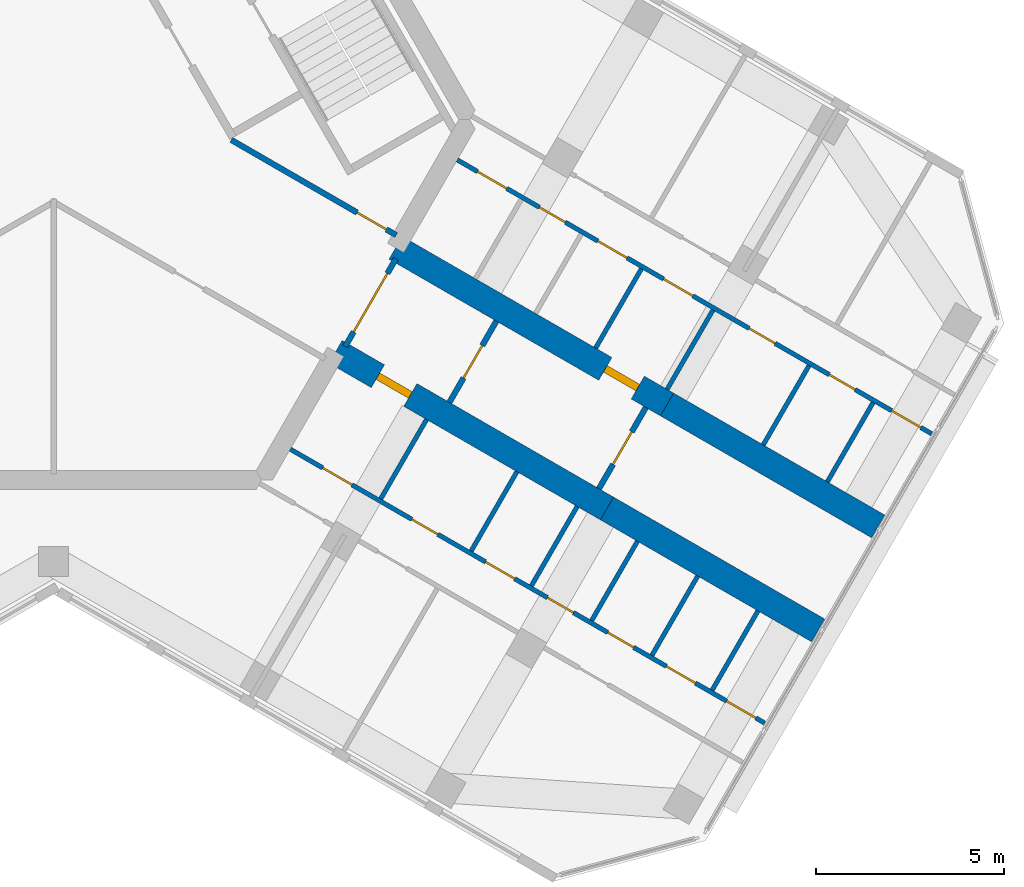
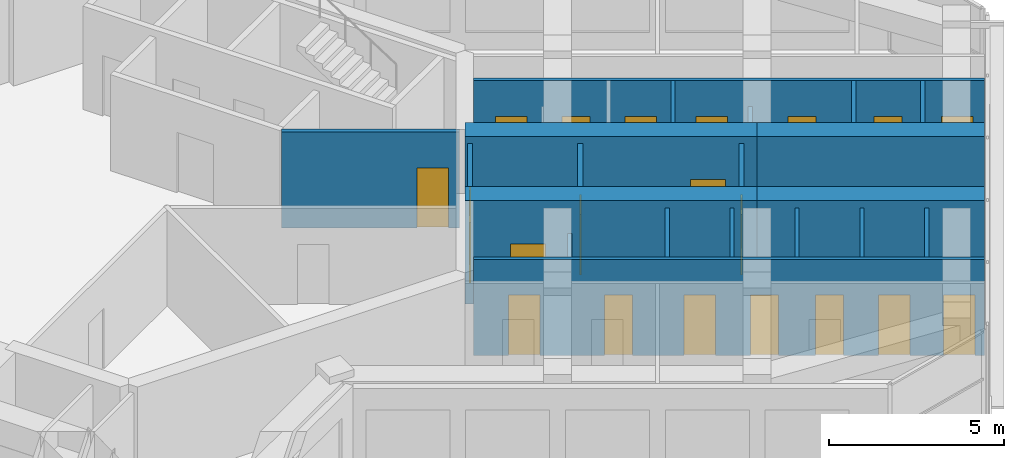
# One storey, part 10 of 14: 20 doors, 20 walls, 20 openings.
"""IFC4 building model written with IfcOpenShell, lengths in metres."""

from ifc_helpers import new_model, si_unit, direction, frame, frame_2d, origin, place, context, subcontext, project, spatial, rectangle, extrude, material, layer, layer_set, type_object, element, fill, save


model = new_model("IFC4")

# Units and contexts
model_context = context("Model", 3, precision=1e-05, world=origin(), true_north=direction((0.0, 1.0)))
body_context = subcontext(model_context, "Body", "Model", "MODEL_VIEW")
ifc_project = project(units=[si_unit("LENGTHUNIT", "METRE"), si_unit("AREAUNIT", "SQUARE_METRE"), si_unit("VOLUMEUNIT", "CUBIC_METRE"), si_unit("PLANEANGLEUNIT", "RADIAN"), si_unit("MASSUNIT", "GRAM", prefix="KILO")], contexts=[model_context])

# Site, building, storey
site_placement = place(None, origin())
site = spatial("IfcSite", under=ifc_project, at=site_placement, CompositionType="ELEMENT")
building_placement = place(site_placement, origin())
building = spatial("IfcBuilding", under=site, at=building_placement, Name="Kosmar Iwan School Tower", CompositionType="ELEMENT")
storey_placement = place(building_placement, frame((0.0, 0.0, 285.39990234375)))
storey = spatial("IfcBuildingStorey", under=building, at=storey_placement, Name="L72", CompositionType="ELEMENT", Elevation=285.39990234375)

# Wall, opening, door
ifc_material_1 = material(Name="Gypsum board on steel studs, fire-rated", Category="steel")
ifc_layer_1 = layer(ifc_material_1, 0.14990234375)
ifc_layer_set_1 = layer_set([ifc_layer_1], Name="Core room partition 150")
wall_type_1 = type_object("IfcWallType", Name="Core room partition 150", PredefinedType="PARTITIONING", material=ifc_layer_set_1)
wall_1_placement = place(storey_placement, frame((9.129638671875, -3.0771484375, 0.0), z_axis=(0.0, 0.0, 1.0), x_axis=(-0.866010921276, 0.500025083601, 0.0)))
wall_1 = element("IfcWall", 1, at=wall_1_placement, inside=storey, type_object=wall_type_1, Name="Core room partition L72-CW8", PredefinedType="PARTITIONING", context=body_context, shape_type="SweptSolid", body=[
    extrude(rectangle(XDim=5.074462890625, YDim=0.14990234375, at=frame_2d((2.537109375, 0.0))), origin(), (0.0, 0.0, 1.0), 3.35009765625),
])
opening_1_placement = place(wall_1_placement, frame((0.304931640625, 0.0, 0.0)))
opening_1 = element("IfcOpeningElement", 2, at=opening_1_placement, cuts=wall_1, Name="Opening D14", PredefinedType="OPENING", context=body_context, shape_type="SweptSolid", body=[
    extrude(rectangle(XDim=0.89990234375, YDim=2.10009765625, at=frame_2d((0.449951171875, 1.050048828125))), frame((0.0, 0.0869140625, 0.0), z_axis=(0.0, -1.0, 0.0), x_axis=(1.0, 0.0, 0.0)), (0.0, 0.0, 1.0), 0.173828125),
])
ifc_material_2 = material(Name="Timber fire door in steel frame", Category="steel")
door_type_1 = type_object("IfcDoorType", Name="Core room door 900x2100", OperationType="SINGLE_SWING_LEFT", PredefinedType="DOOR", material=ifc_material_2)
door_1_placement = place(opening_1_placement, origin())
door_1 = element("IfcDoor", 3, at=door_1_placement, inside=storey, type_object=door_type_1, Name="Cleaner's store door L72 5", OperationType="SINGLE_SWING_LEFT", OverallHeight=2.10009765625, OverallWidth=0.89990234375, PredefinedType="DOOR", context=body_context, shape_type="SweptSolid", body=[
    extrude(rectangle(XDim=0.89990234375, YDim=2.10009765625, at=frame_2d((0.449951171875, 1.050048828125))), frame((0.0, 0.02490234375, 0.0), z_axis=(0.0, -1.0, 0.0), x_axis=(1.0, 0.0, 0.0)), (0.0, 0.0, 1.0), 0.050048828125),
])
fill(opening_1, door_1)

ifc_material_3 = material(Name="Concrete C50/60", Category="concrete")
ifc_layer_2 = layer(ifc_material_3, 0.699951171875)
ifc_layer_set_2 = layer_set([ifc_layer_2], Name="Corridor buttress wall 700")
wall_type_2 = type_object("IfcWallType", Name="Corridor buttress wall 700", PredefinedType="SHEAR", material=ifc_layer_set_2)
wall_2_placement = place(storey_placement, frame((9.11376953125, -3.414306640625, 0.0), z_axis=(0.0, 0.0, 1.0), x_axis=(0.866026859388, -0.499997478812, 0.0)))
wall_2 = element("IfcWall", 4, at=wall_2_placement, inside=storey, type_object=wall_type_2, Name="Corridor wall CL", PredefinedType="SHEAR", context=body_context, shape_type="SweptSolid", body=[
    extrude(rectangle(XDim=8.35009765625, YDim=0.699951171875, at=frame_2d((4.175048828125, 0.0))), origin(), (0.0, 0.0, 1.0), 3.60009765625),
])
opening_2_placement = place(wall_2_placement, frame((6.449951171875, 0.0, 0.0)))
opening_2 = element("IfcOpeningElement", 5, at=opening_2_placement, cuts=wall_2, Name="Opening D1", PredefinedType="OPENING", context=body_context, shape_type="SweptSolid", body=[
    extrude(rectangle(XDim=1.0, YDim=2.10009765625, at=frame_2d((0.5, 1.050048828125))), frame((0.0, 0.362060546875, 0.0), z_axis=(0.0, -1.0, 0.0), x_axis=(1.0, 0.0, 0.0)), (0.0, 0.0, 1.0), 0.723876953125),
])
ifc_material_4 = material(Name="Timber fire door in steel frame", Category="steel")
door_type_2 = type_object("IfcDoorType", Name="Flat entrance door 1000x2100", OperationType="SINGLE_SWING_LEFT", PredefinedType="DOOR", material=ifc_material_4)
door_2_placement = place(opening_2_placement, origin())
door_2 = element("IfcDoor", 6, at=door_2_placement, inside=storey, type_object=door_type_2, Name="Flat L72-CL1 entrance door", OperationType="SINGLE_SWING_LEFT", OverallHeight=2.10009765625, OverallWidth=1.0, PredefinedType="DOOR", context=body_context, shape_type="SweptSolid", body=[
    extrude(rectangle(XDim=1.0, YDim=2.10009765625, at=frame_2d((0.5, 1.050048828125))), frame((0.0, 0.10009765625, 0.0), z_axis=(0.0, -1.0, 0.0), x_axis=(1.0, 0.0, 0.0)), (0.0, 0.0, 1.0), 0.199951171875),
])
fill(opening_2, door_2)

# Wall
wall_3_placement = place(storey_placement, frame((16.34521484375, -7.58935546875, 0.0), z_axis=(0.0, 0.0, 1.0), x_axis=(0.866018451174, -0.500012042081, 0.0)))
element("IfcWall", 7, at=wall_3_placement, inside=storey, type_object=wall_type_2, Name="Corridor wall CL bay 2", PredefinedType="SHEAR", context=body_context, shape_type="SweptSolid", body=[
    extrude(rectangle(XDim=6.494873046875, YDim=0.699951171875, at=frame_2d((3.24755859375, 0.0))), origin(), (0.0, 0.0, 1.0), 3.60009765625),
])

# Wall, opening, door
wall_4_placement = place(storey_placement, frame((7.513916015625, -6.185546875, 0.0), z_axis=(0.0, 0.0, 1.0), x_axis=(0.866019549707, -0.500010139422, 0.0)))
wall_4 = element("IfcWall", 8, at=wall_4_placement, inside=storey, type_object=wall_type_2, Name="Corridor wall CR", PredefinedType="SHEAR", context=body_context, shape_type="SweptSolid", body=[
    extrude(rectangle(XDim=8.349853515625, YDim=0.699951171875, at=frame_2d((4.1748046875, 0.0))), origin(), (0.0, 0.0, 1.0), 3.60009765625),
])
opening_3_placement = place(wall_4_placement, frame((1.300048828125, 0.0, 0.0)))
opening_3 = element("IfcOpeningElement", 9, at=opening_3_placement, cuts=wall_4, Name="Opening D1", PredefinedType="OPENING", context=body_context, shape_type="SweptSolid", body=[
    extrude(rectangle(XDim=1.0, YDim=2.10009765625, at=frame_2d((0.5, 1.050048828125))), frame((0.0, 0.362060546875, 0.0), z_axis=(0.0, -1.0, 0.0), x_axis=(1.0, 0.0, 0.0)), (0.0, 0.0, 1.0), 0.723876953125),
])
door_3_placement = place(opening_3_placement, origin())
door_3 = element("IfcDoor", 10, at=door_3_placement, inside=storey, type_object=door_type_2, Name="Flat L72-CR1 entrance door", OperationType="SINGLE_SWING_RIGHT", OverallHeight=2.10009765625, OverallWidth=1.0, PredefinedType="DOOR", context=body_context, shape_type="SweptSolid", body=[
    extrude(rectangle(XDim=1.0, YDim=2.10009765625, at=frame_2d((0.5, 1.050048828125))), frame((0.0, 0.10009765625, 0.0), z_axis=(0.0, -1.0, 0.0), x_axis=(1.0, 0.0, 0.0)), (0.0, 0.0, 1.0), 0.199951171875),
])
fill(opening_3, door_3)

# Wall
wall_5_placement = place(storey_placement, frame((14.7451171875, -10.360595703125, 0.0), z_axis=(0.0, 0.0, 1.0), x_axis=(0.866027848477, -0.499995765644, 0.0)))
element("IfcWall", 11, at=wall_5_placement, inside=storey, type_object=wall_type_2, Name="Corridor wall CR bay 2", PredefinedType="SHEAR", context=body_context, shape_type="SweptSolid", body=[
    extrude(rectangle(XDim=6.4951171875, YDim=0.699951171875, at=frame_2d((3.24755859375, 0.0))), origin(), (0.0, 0.0, 1.0), 3.60009765625),
])

# Wall, opening, door
ifc_material_5 = material(Name="Gypsum board on steel studs, fire-rated", Category="steel")
ifc_layer_3 = layer(ifc_material_5, 0.14990234375)
ifc_layer_set_3 = layer_set([ifc_layer_3], Name="Corridor end wall 150")
wall_type_3 = type_object("IfcWallType", Name="Corridor end wall 150", PredefinedType="PARTITIONING", material=ifc_layer_set_3)
wall_6_placement = place(storey_placement, frame((14.530517578125, -9.83251953125, 0.0), z_axis=(0.0, 0.0, 1.0), x_axis=(0.500004234368, 0.866022959057, 0.0)))
wall_6 = element("IfcWall", 12, at=wall_6_placement, inside=storey, type_object=wall_type_3, Name="Partition L72-C-CE", PredefinedType="PARTITIONING", context=body_context, shape_type="SweptSolid", body=[
    extrude(rectangle(XDim=2.5, YDim=0.14990234375, at=frame_2d((1.25, 0.0))), origin(), (0.0, 0.0, 1.0), 3.35009765625),
])
opening_4_placement = place(wall_6_placement, frame((0.75, 0.0, 0.0)))
opening_4 = element("IfcOpeningElement", 13, at=opening_4_placement, cuts=wall_6, Name="Opening D13", PredefinedType="OPENING", context=body_context, shape_type="SweptSolid", body=[
    extrude(rectangle(XDim=1.0, YDim=2.10009765625, at=frame_2d((0.5, 1.050048828125))), frame((0.0, 0.0869140625, 0.0), z_axis=(0.0, -1.0, 0.0), x_axis=(1.0, 0.0, 0.0)), (0.0, 0.0, 1.0), 0.173828125),
])
ifc_material_6 = material(Name="Timber fire door with vision panel", Category="wood")
door_type_3 = type_object("IfcDoorType", Name="Corridor end door 1000x2100", OperationType="SINGLE_SWING_LEFT", PredefinedType="DOOR", material=ifc_material_6)
door_4_placement = place(opening_4_placement, origin())
door_4 = element("IfcDoor", 14, at=door_4_placement, inside=storey, type_object=door_type_3, Name="Reading room door L72-C", OperationType="SINGLE_SWING_LEFT", OverallHeight=2.10009765625, OverallWidth=1.0, PredefinedType="DOOR", context=body_context, shape_type="SweptSolid", body=[
    extrude(rectangle(XDim=1.0, YDim=2.10009765625, at=frame_2d((0.5, 1.050048828125))), frame((0.0, 0.02490234375, 0.0), z_axis=(0.0, -1.0, 0.0), x_axis=(1.0, 0.0, 0.0)), (0.0, 0.0, 1.0), 0.050048828125),
])
fill(opening_4, door_4)

wall_7_placement = place(storey_placement, frame((10.546630859375, -7.532470703125, 0.0), z_axis=(0.0, 0.0, 1.0), x_axis=(0.500004234368, 0.866022959057, 0.0)))
wall_7 = element("IfcWall", 15, at=wall_7_placement, inside=storey, type_object=wall_type_3, Name="Partition L72-C-HW", PredefinedType="PARTITIONING", context=body_context, shape_type="SweptSolid", body=[
    extrude(rectangle(XDim=2.5, YDim=0.14990234375, at=frame_2d((1.25, 0.0))), origin(), (0.0, 0.0, 1.0), 3.35009765625),
])
opening_5_placement = place(wall_7_placement, frame((0.75, 0.0, 0.0)))
opening_5 = element("IfcOpeningElement", 16, at=opening_5_placement, cuts=wall_7, Name="Opening D13", PredefinedType="OPENING", context=body_context, shape_type="SweptSolid", body=[
    extrude(rectangle(XDim=1.0, YDim=2.10009765625, at=frame_2d((0.5, 1.050048828125))), frame((0.0, 0.0869140625, 0.0), z_axis=(0.0, -1.0, 0.0), x_axis=(1.0, 0.0, 0.0)), (0.0, 0.0, 1.0), 0.173828125),
])
door_5_placement = place(opening_5_placement, origin())
door_5 = element("IfcDoor", 17, at=door_5_placement, inside=storey, type_object=door_type_3, Name="Entrance door L72-C", OperationType="SINGLE_SWING_RIGHT", OverallHeight=2.10009765625, OverallWidth=1.0, PredefinedType="DOOR", context=body_context, shape_type="SweptSolid", body=[
    extrude(rectangle(XDim=1.0, YDim=2.10009765625, at=frame_2d((0.5, 1.050048828125))), frame((0.0, 0.02490234375, 0.0), z_axis=(0.0, -1.0, 0.0), x_axis=(1.0, 0.0, 0.0)), (0.0, 0.0, 1.0), 0.050048828125),
])
fill(opening_5, door_5)

ifc_material_7 = material(Name="Steel framed glazed screen", Category="steel")
ifc_layer_4 = layer(ifc_material_7, 0.14990234375)
ifc_layer_set_4 = layer_set([ifc_layer_4], Name="Corridor screen wall 150")
wall_type_4 = type_object("IfcWallType", Name="Corridor screen wall 150", PredefinedType="PARTITIONING", material=ifc_layer_set_4)
wall_8_placement = place(storey_placement, frame((7.768798828125, -6.044189453125, 0.0), z_axis=(0.0, 0.0, 1.0), x_axis=(0.4999416173, 0.866059108428, 0.0)))
wall_8 = element("IfcWall", 18, at=wall_8_placement, inside=storey, type_object=wall_type_4, Name="Corridor screen C L72", PredefinedType="PARTITIONING", context=body_context, shape_type="SweptSolid", body=[
    extrude(rectangle(XDim=2.699951171875, YDim=0.14990234375, at=frame_2d((1.35009765625, 0.0))), origin(), (0.0, 0.0, 1.0), 3.35009765625),
])
opening_6_placement = place(wall_8_placement, frame((0.449951171875, 0.0, 0.0)))
opening_6 = element("IfcOpeningElement", 19, at=opening_6_placement, cuts=wall_8, Name="Opening D9", PredefinedType="OPENING", context=body_context, shape_type="SweptSolid", body=[
    extrude(rectangle(XDim=1.800048828125, YDim=2.10009765625, at=frame_2d((0.89990234375, 1.050048828125))), frame((0.0, 0.0869140625, 0.0), z_axis=(0.0, -1.0, 0.0), x_axis=(1.0, 0.0, 0.0)), (0.0, 0.0, 1.0), 0.173828125),
])
ifc_material_8 = material(Name="Steel framed glazed smoke door", Category="steel")
door_type_4 = type_object("IfcDoorType", Name="Corridor smoke door pair 1800x2100", OperationType="DOUBLE_DOOR_DOUBLE_SWING", PredefinedType="DOOR", material=ifc_material_8)
door_6_placement = place(opening_6_placement, origin())
door_6 = element("IfcDoor", 20, at=door_6_placement, inside=storey, type_object=door_type_4, Name="Corridor doors C L72", OperationType="DOUBLE_DOOR_DOUBLE_SWING", OverallHeight=2.10009765625, OverallWidth=1.800048828125, PredefinedType="DOOR", context=body_context, shape_type="SweptSolid", body=[
    extrude(rectangle(XDim=1.800048828125, YDim=2.10009765625, at=frame_2d((0.89990234375, 1.050048828125))), frame((0.0, 0.02490234375, 0.0), z_axis=(0.0, -1.0, 0.0), x_axis=(1.0, 0.0, 0.0)), (0.0, 0.0, 1.0), 0.050048828125),
])
fill(opening_6, door_6)

# Wall, openings, doors
ifc_material_9 = material(Name="Gypsum board on steel studs", Category="steel")
ifc_layer_5 = layer(ifc_material_9, 0.1201171875)
ifc_layer_set_5 = layer_set([ifc_layer_5], Name="Dwelling partition 120")
wall_type_5 = type_object("IfcWallType", Name="Dwelling partition 120", PredefinedType="PARTITIONING", material=ifc_layer_set_5)
wall_9_placement = place(storey_placement, frame((10.75537109375, -1.0712890625, 0.0), z_axis=(0.0, 0.0, 1.0), x_axis=(0.866029591389, -0.499992746786, 0.0)))
wall_9 = element("IfcWall", 21, at=wall_9_placement, inside=storey, type_object=wall_type_5, Name="Partition L72-CL1-W1", PredefinedType="PARTITIONING", context=body_context, shape_type="SweptSolid", body=[
    extrude(rectangle(XDim=14.594970703125, YDim=0.1201171875, at=frame_2d((7.29736328125, 0.0))), origin(), (0.0, 0.0, 1.0), 3.35009765625),
])
opening_7_placement = place(wall_9_placement, frame((0.625, 0.0, 0.0)))
opening_7 = element("IfcOpeningElement", 22, at=opening_7_placement, cuts=wall_9, Name="Opening D2", PredefinedType="OPENING", context=body_context, shape_type="SweptSolid", body=[
    extrude(rectangle(XDim=0.89990234375, YDim=2.10009765625, at=frame_2d((0.449951171875, 1.050048828125))), frame((0.0, 0.072021484375, 0.0), z_axis=(0.0, -1.0, 0.0), x_axis=(1.0, 0.0, 0.0)), (0.0, 0.0, 1.0), 0.14404296875),
])
opening_8_placement = place(wall_9_placement, frame((2.52490234375, 0.0, 0.0)))
opening_8 = element("IfcOpeningElement", 23, at=opening_8_placement, cuts=wall_9, Name="Opening D3", PredefinedType="OPENING", context=body_context, shape_type="SweptSolid", body=[
    extrude(rectangle(XDim=0.800048828125, YDim=2.10009765625, at=frame_2d((0.39990234375, 1.050048828125))), frame((0.0, 0.072021484375, 0.0), z_axis=(0.0, -1.0, 0.0), x_axis=(1.0, 0.0, 0.0)), (0.0, 0.0, 1.0), 0.14404296875),
])
opening_9_placement = place(wall_9_placement, frame((4.324951171875, 0.0, 0.0)))
opening_9 = element("IfcOpeningElement", 24, at=opening_9_placement, cuts=wall_9, Name="Opening D2", PredefinedType="OPENING", context=body_context, shape_type="SweptSolid", body=[
    extrude(rectangle(XDim=0.89990234375, YDim=2.10009765625, at=frame_2d((0.449951171875, 1.050048828125))), frame((0.0, 0.072021484375, 0.0), z_axis=(0.0, -1.0, 0.0), x_axis=(1.0, 0.0, 0.0)), (0.0, 0.0, 1.0), 0.14404296875),
])
opening_10_placement = place(wall_9_placement, frame((6.35009765625, 0.0, 0.0)))
opening_10 = element("IfcOpeningElement", 25, at=opening_10_placement, cuts=wall_9, Name="Opening D2", PredefinedType="OPENING", context=body_context, shape_type="SweptSolid", body=[
    extrude(rectangle(XDim=0.89990234375, YDim=2.10009765625, at=frame_2d((0.449951171875, 1.050048828125))), frame((0.0, 0.072021484375, 0.0), z_axis=(0.0, -1.0, 0.0), x_axis=(1.0, 0.0, 0.0)), (0.0, 0.0, 1.0), 0.14404296875),
])
opening_11_placement = place(wall_9_placement, frame((8.978515625, 0.0, 0.0)))
opening_11 = element("IfcOpeningElement", 26, at=opening_11_placement, cuts=wall_9, Name="Opening D3", PredefinedType="OPENING", context=body_context, shape_type="SweptSolid", body=[
    extrude(rectangle(XDim=0.800048828125, YDim=2.10009765625, at=frame_2d((0.39990234375, 1.050048828125))), frame((0.0, 0.072021484375, 0.0), z_axis=(0.0, -1.0, 0.0), x_axis=(1.0, 0.0, 0.0)), (0.0, 0.0, 1.0), 0.14404296875),
])
opening_12_placement = place(wall_9_placement, frame((11.44287109375, 0.0, 0.0)))
opening_12 = element("IfcOpeningElement", 27, at=opening_12_placement, cuts=wall_9, Name="Opening D3", PredefinedType="OPENING", context=body_context, shape_type="SweptSolid", body=[
    extrude(rectangle(XDim=0.800048828125, YDim=2.10009765625, at=frame_2d((0.39990234375, 1.050048828125))), frame((0.0, 0.072021484375, 0.0), z_axis=(0.0, -1.0, 0.0), x_axis=(1.0, 0.0, 0.0)), (0.0, 0.0, 1.0), 0.14404296875),
])
opening_13_placement = place(wall_9_placement, frame((13.3642578125, 0.0, 0.0)))
opening_13 = element("IfcOpeningElement", 28, at=opening_13_placement, cuts=wall_9, Name="Opening D2", PredefinedType="OPENING", context=body_context, shape_type="SweptSolid", body=[
    extrude(rectangle(XDim=0.89990234375, YDim=2.10009765625, at=frame_2d((0.449951171875, 1.050048828125))), frame((0.0, 0.072021484375, 0.0), z_axis=(0.0, -1.0, 0.0), x_axis=(1.0, 0.0, 0.0)), (0.0, 0.0, 1.0), 0.14404296875),
])
ifc_material_10 = material(Name="Timber door in timber frame", Category="wood")
door_type_5 = type_object("IfcDoorType", Name="Internal door 900x2100", OperationType="SINGLE_SWING_LEFT", PredefinedType="DOOR", material=ifc_material_10)
door_7_placement = place(opening_7_placement, origin())
door_7 = element("IfcDoor", 29, at=door_7_placement, inside=storey, type_object=door_type_5, Name="Dressing room door L72-CL1-S1", OperationType="SINGLE_SWING_LEFT", OverallHeight=2.10009765625, OverallWidth=0.89990234375, PredefinedType="DOOR", context=body_context, shape_type="SweptSolid", body=[
    extrude(rectangle(XDim=0.89990234375, YDim=2.10009765625, at=frame_2d((0.449951171875, 1.050048828125))), frame((0.0, 0.02490234375, 0.0), z_axis=(0.0, -1.0, 0.0), x_axis=(1.0, 0.0, 0.0)), (0.0, 0.0, 1.0), 0.050048828125),
])
fill(opening_7, door_7)
door_8_placement = place(opening_9_placement, origin())
door_8 = element("IfcDoor", 30, at=door_8_placement, inside=storey, type_object=door_type_5, Name="Pantry door L72-CL1-S3", OperationType="SINGLE_SWING_LEFT", OverallHeight=2.10009765625, OverallWidth=0.89990234375, PredefinedType="DOOR", context=body_context, shape_type="SweptSolid", body=[
    extrude(rectangle(XDim=0.89990234375, YDim=2.10009765625, at=frame_2d((0.449951171875, 1.050048828125))), frame((0.0, 0.02490234375, 0.0), z_axis=(0.0, -1.0, 0.0), x_axis=(1.0, 0.0, 0.0)), (0.0, 0.0, 1.0), 0.050048828125),
])
fill(opening_9, door_8)
door_9_placement = place(opening_10_placement, origin())
door_9 = element("IfcDoor", 31, at=door_9_placement, inside=storey, type_object=door_type_5, Name="Entrance hall door L72-CL1-S4", OperationType="SINGLE_SWING_LEFT", OverallHeight=2.10009765625, OverallWidth=0.89990234375, PredefinedType="DOOR", context=body_context, shape_type="SweptSolid", body=[
    extrude(rectangle(XDim=0.89990234375, YDim=2.10009765625, at=frame_2d((0.449951171875, 1.050048828125))), frame((0.0, 0.02490234375, 0.0), z_axis=(0.0, -1.0, 0.0), x_axis=(1.0, 0.0, 0.0)), (0.0, 0.0, 1.0), 0.050048828125),
])
fill(opening_10, door_9)
door_10_placement = place(opening_13_placement, origin())
door_10 = element("IfcDoor", 32, at=door_10_placement, inside=storey, type_object=door_type_5, Name="Utility room door L72-CL1-S7", OperationType="SINGLE_SWING_RIGHT", OverallHeight=2.10009765625, OverallWidth=0.89990234375, PredefinedType="DOOR", context=body_context, shape_type="SweptSolid", body=[
    extrude(rectangle(XDim=0.89990234375, YDim=2.10009765625, at=frame_2d((0.449951171875, 1.050048828125))), frame((0.0, 0.02490234375, 0.0), z_axis=(0.0, -1.0, 0.0), x_axis=(1.0, 0.0, 0.0)), (0.0, 0.0, 1.0), 0.050048828125),
])
fill(opening_13, door_10)
ifc_material_11 = material(Name="Timber door in timber frame", Category="wood")
door_type_6 = type_object("IfcDoorType", Name="Sanitary room door 800x2100", OperationType="SINGLE_SWING_LEFT", PredefinedType="DOOR", material=ifc_material_11)
door_11_placement = place(opening_8_placement, origin())
door_11 = element("IfcDoor", 33, at=door_11_placement, inside=storey, type_object=door_type_6, Name="Store door L72-CL1-S2", OperationType="SINGLE_SWING_LEFT", OverallHeight=2.10009765625, OverallWidth=0.800048828125, PredefinedType="DOOR", context=body_context, shape_type="SweptSolid", body=[
    extrude(rectangle(XDim=0.800048828125, YDim=2.10009765625, at=frame_2d((0.39990234375, 1.050048828125))), frame((0.0, 0.02490234375, 0.0), z_axis=(0.0, -1.0, 0.0), x_axis=(1.0, 0.0, 0.0)), (0.0, 0.0, 1.0), 0.050048828125),
])
fill(opening_8, door_11)
door_12_placement = place(opening_11_placement, origin())
door_12 = element("IfcDoor", 34, at=door_12_placement, inside=storey, type_object=door_type_6, Name="Bathroom door L72-CL1-S5", OperationType="SINGLE_SWING_RIGHT", OverallHeight=2.10009765625, OverallWidth=0.800048828125, PredefinedType="DOOR", context=body_context, shape_type="SweptSolid", body=[
    extrude(rectangle(XDim=0.800048828125, YDim=2.10009765625, at=frame_2d((0.39990234375, 1.050048828125))), frame((0.0, 0.02490234375, 0.0), z_axis=(0.0, -1.0, 0.0), x_axis=(1.0, 0.0, 0.0)), (0.0, 0.0, 1.0), 0.050048828125),
])
fill(opening_11, door_12)
door_13_placement = place(opening_12_placement, origin())
door_13 = element("IfcDoor", 35, at=door_13_placement, inside=storey, type_object=door_type_6, Name="WC door L72-CL1-S6", OperationType="SINGLE_SWING_RIGHT", OverallHeight=2.10009765625, OverallWidth=0.800048828125, PredefinedType="DOOR", context=body_context, shape_type="SweptSolid", body=[
    extrude(rectangle(XDim=0.800048828125, YDim=2.10009765625, at=frame_2d((0.39990234375, 1.050048828125))), frame((0.0, 0.02490234375, 0.0), z_axis=(0.0, -1.0, 0.0), x_axis=(1.0, 0.0, 0.0)), (0.0, 0.0, 1.0), 0.050048828125),
])
fill(opening_12, door_13)

# Walls
wall_10_placement = place(storey_placement, frame((14.441650390625, -6.086181640625, 0.0), z_axis=(0.0, 0.0, 1.0), x_axis=(0.500002508028, 0.866023955769, 0.0)))
element("IfcWall", 36, at=wall_10_placement, inside=storey, type_object=wall_type_5, Name="Partition L72-CL1-Y3", PredefinedType="PARTITIONING", context=body_context, shape_type="SweptSolid", body=[
    extrude(rectangle(XDim=2.43994140625, YDim=0.1201171875, at=frame_2d((1.219970703125, 0.0))), origin(), (0.0, 0.0, 1.0), 3.35009765625),
])
wall_11_placement = place(storey_placement, frame((16.346923828125, -7.186279296875, 0.0), z_axis=(0.0, 0.0, 1.0), x_axis=(0.500002508028, 0.866023955769, 0.0)))
element("IfcWall", 37, at=wall_11_placement, inside=storey, type_object=wall_type_5, Name="Partition L72-CL1-Y4", PredefinedType="PARTITIONING", context=body_context, shape_type="SweptSolid", body=[
    extrude(rectangle(XDim=2.43994140625, YDim=0.1201171875, at=frame_2d((1.219970703125, 0.0))), origin(), (0.0, 0.0, 1.0), 2.4501953125),
])
wall_12_placement = place(storey_placement, frame((18.907958984375, -8.664794921875, 0.0), z_axis=(0.0, 0.0, 1.0), x_axis=(0.500002508028, 0.866023955769, 0.0)))
element("IfcWall", 38, at=wall_12_placement, inside=storey, type_object=wall_type_5, Name="Partition L72-CL1-Y5", PredefinedType="PARTITIONING", context=body_context, shape_type="SweptSolid", body=[
    extrude(rectangle(XDim=2.43994140625, YDim=0.1201171875, at=frame_2d((1.219970703125, 0.0))), origin(), (0.0, 0.0, 1.0), 3.35009765625),
])
wall_13_placement = place(storey_placement, frame((20.615234375, -9.650634765625, 0.0), z_axis=(0.0, 0.0, 1.0), x_axis=(0.499959183527, 0.866048967903, 0.0)))
element("IfcWall", 39, at=wall_13_placement, inside=storey, type_object=wall_type_5, Name="Partition L72-CL1-Y6", PredefinedType="PARTITIONING", context=body_context, shape_type="SweptSolid", body=[
    extrude(rectangle(XDim=2.440185546875, YDim=0.1201171875, at=frame_2d((1.22021484375, 0.0))), origin(), (0.0, 0.0, 1.0), 3.35009765625),
])

# Wall, openings, doors
wall_14_placement = place(storey_placement, frame((6.305419921875, -8.77880859375, 0.0), z_axis=(0.0, 0.0, 1.0), x_axis=(0.866022348096, -0.50000529257, 0.0)))
wall_14 = element("IfcWall", 40, at=wall_14_placement, inside=storey, type_object=wall_type_5, Name="Partition L72-CR1-W1", PredefinedType="PARTITIONING", context=body_context, shape_type="SweptSolid", body=[
    extrude(rectangle(XDim=14.594970703125, YDim=0.1201171875, at=frame_2d((7.29736328125, 0.0))), origin(), (0.0, 0.0, 1.0), 3.35009765625),
])
opening_14_placement = place(wall_14_placement, frame((1.0, 0.0, 0.0)))
opening_14 = element("IfcOpeningElement", 41, at=opening_14_placement, cuts=wall_14, Name="Opening D2", PredefinedType="OPENING", context=body_context, shape_type="SweptSolid", body=[
    extrude(rectangle(XDim=0.89990234375, YDim=2.10009765625, at=frame_2d((0.449951171875, 1.050048828125))), frame((0.0, 0.072021484375, 0.0), z_axis=(0.0, -1.0, 0.0), x_axis=(1.0, 0.0, 0.0)), (0.0, 0.0, 1.0), 0.14404296875),
])
opening_15_placement = place(wall_14_placement, frame((3.740478515625, 0.0, 0.0)))
opening_15 = element("IfcOpeningElement", 42, at=opening_15_placement, cuts=wall_14, Name="Opening D3", PredefinedType="OPENING", context=body_context, shape_type="SweptSolid", body=[
    extrude(rectangle(XDim=0.800048828125, YDim=2.10009765625, at=frame_2d((0.39990234375, 1.050048828125))), frame((0.0, 0.072021484375, 0.0), z_axis=(0.0, -1.0, 0.0), x_axis=(1.0, 0.0, 0.0)), (0.0, 0.0, 1.0), 0.14404296875),
])
opening_16_placement = place(wall_14_placement, frame((6.0078125, 0.0, 0.0)))
opening_16 = element("IfcOpeningElement", 43, at=opening_16_placement, cuts=wall_14, Name="Opening D2", PredefinedType="OPENING", context=body_context, shape_type="SweptSolid", body=[
    extrude(rectangle(XDim=0.89990234375, YDim=2.10009765625, at=frame_2d((0.449951171875, 1.050048828125))), frame((0.0, 0.072021484375, 0.0), z_axis=(0.0, -1.0, 0.0), x_axis=(1.0, 0.0, 0.0)), (0.0, 0.0, 1.0), 0.14404296875),
])
opening_17_placement = place(wall_14_placement, frame((7.91162109375, 0.0, 0.0)))
opening_17 = element("IfcOpeningElement", 44, at=opening_17_placement, cuts=wall_14, Name="Opening D3", PredefinedType="OPENING", context=body_context, shape_type="SweptSolid", body=[
    extrude(rectangle(XDim=0.800048828125, YDim=2.10009765625, at=frame_2d((0.39990234375, 1.050048828125))), frame((0.0, 0.072021484375, 0.0), z_axis=(0.0, -1.0, 0.0), x_axis=(1.0, 0.0, 0.0)), (0.0, 0.0, 1.0), 0.14404296875),
])
opening_18_placement = place(wall_14_placement, frame((9.765380859375, 0.0, 0.0)))
opening_18 = element("IfcOpeningElement", 45, at=opening_18_placement, cuts=wall_14, Name="Opening D3", PredefinedType="OPENING", context=body_context, shape_type="SweptSolid", body=[
    extrude(rectangle(XDim=0.800048828125, YDim=2.10009765625, at=frame_2d((0.39990234375, 1.050048828125))), frame((0.0, 0.072021484375, 0.0), z_axis=(0.0, -1.0, 0.0), x_axis=(1.0, 0.0, 0.0)), (0.0, 0.0, 1.0), 0.14404296875),
])
opening_19_placement = place(wall_14_placement, frame((11.5693359375, 0.0, 0.0)))
opening_19 = element("IfcOpeningElement", 46, at=opening_19_placement, cuts=wall_14, Name="Opening D2", PredefinedType="OPENING", context=body_context, shape_type="SweptSolid", body=[
    extrude(rectangle(XDim=0.89990234375, YDim=2.10009765625, at=frame_2d((0.449951171875, 1.050048828125))), frame((0.0, 0.072021484375, 0.0), z_axis=(0.0, -1.0, 0.0), x_axis=(1.0, 0.0, 0.0)), (0.0, 0.0, 1.0), 0.14404296875),
])
opening_20_placement = place(wall_14_placement, frame((13.423095703125, 0.0, 0.0)))
opening_20 = element("IfcOpeningElement", 47, at=opening_20_placement, cuts=wall_14, Name="Opening D2", PredefinedType="OPENING", context=body_context, shape_type="SweptSolid", body=[
    extrude(rectangle(XDim=0.89990234375, YDim=2.10009765625, at=frame_2d((0.449951171875, 1.050048828125))), frame((0.0, 0.072021484375, 0.0), z_axis=(0.0, -1.0, 0.0), x_axis=(1.0, 0.0, 0.0)), (0.0, 0.0, 1.0), 0.14404296875),
])
door_14_placement = place(opening_14_placement, origin())
door_14 = element("IfcDoor", 48, at=door_14_placement, inside=storey, type_object=door_type_5, Name="Entrance hall door L72-CR1-S1", OperationType="SINGLE_SWING_RIGHT", OverallHeight=2.10009765625, OverallWidth=0.89990234375, PredefinedType="DOOR", context=body_context, shape_type="SweptSolid", body=[
    extrude(rectangle(XDim=0.89990234375, YDim=2.10009765625, at=frame_2d((0.449951171875, 1.050048828125))), frame((0.0, 0.02490234375, 0.0), z_axis=(0.0, -1.0, 0.0), x_axis=(1.0, 0.0, 0.0)), (0.0, 0.0, 1.0), 0.050048828125),
])
fill(opening_14, door_14)
door_15_placement = place(opening_16_placement, origin())
door_15 = element("IfcDoor", 49, at=door_15_placement, inside=storey, type_object=door_type_5, Name="Pantry door L72-CR1-S3", OperationType="SINGLE_SWING_RIGHT", OverallHeight=2.10009765625, OverallWidth=0.89990234375, PredefinedType="DOOR", context=body_context, shape_type="SweptSolid", body=[
    extrude(rectangle(XDim=0.89990234375, YDim=2.10009765625, at=frame_2d((0.449951171875, 1.050048828125))), frame((0.0, 0.02490234375, 0.0), z_axis=(0.0, -1.0, 0.0), x_axis=(1.0, 0.0, 0.0)), (0.0, 0.0, 1.0), 0.050048828125),
])
fill(opening_16, door_15)
door_16_placement = place(opening_19_placement, origin())
door_16 = element("IfcDoor", 50, at=door_16_placement, inside=storey, type_object=door_type_5, Name="Utility room door L72-CR1-S6", OperationType="SINGLE_SWING_LEFT", OverallHeight=2.10009765625, OverallWidth=0.89990234375, PredefinedType="DOOR", context=body_context, shape_type="SweptSolid", body=[
    extrude(rectangle(XDim=0.89990234375, YDim=2.10009765625, at=frame_2d((0.449951171875, 1.050048828125))), frame((0.0, 0.02490234375, 0.0), z_axis=(0.0, -1.0, 0.0), x_axis=(1.0, 0.0, 0.0)), (0.0, 0.0, 1.0), 0.050048828125),
])
fill(opening_19, door_16)
door_17_placement = place(opening_20_placement, origin())
door_17 = element("IfcDoor", 51, at=door_17_placement, inside=storey, type_object=door_type_5, Name="Dressing room door L72-CR1-S7", OperationType="SINGLE_SWING_RIGHT", OverallHeight=2.10009765625, OverallWidth=0.89990234375, PredefinedType="DOOR", context=body_context, shape_type="SweptSolid", body=[
    extrude(rectangle(XDim=0.89990234375, YDim=2.10009765625, at=frame_2d((0.449951171875, 1.050048828125))), frame((0.0, 0.02490234375, 0.0), z_axis=(0.0, -1.0, 0.0), x_axis=(1.0, 0.0, 0.0)), (0.0, 0.0, 1.0), 0.050048828125),
])
fill(opening_20, door_17)
door_18_placement = place(opening_15_placement, origin())
door_18 = element("IfcDoor", 52, at=door_18_placement, inside=storey, type_object=door_type_6, Name="Bathroom door L72-CR1-S2", OperationType="SINGLE_SWING_LEFT", OverallHeight=2.10009765625, OverallWidth=0.800048828125, PredefinedType="DOOR", context=body_context, shape_type="SweptSolid", body=[
    extrude(rectangle(XDim=0.800048828125, YDim=2.10009765625, at=frame_2d((0.39990234375, 1.050048828125))), frame((0.0, 0.02490234375, 0.0), z_axis=(0.0, -1.0, 0.0), x_axis=(1.0, 0.0, 0.0)), (0.0, 0.0, 1.0), 0.050048828125),
])
fill(opening_15, door_18)
door_19_placement = place(opening_17_placement, origin())
door_19 = element("IfcDoor", 53, at=door_19_placement, inside=storey, type_object=door_type_6, Name="WC door L72-CR1-S4", OperationType="SINGLE_SWING_LEFT", OverallHeight=2.10009765625, OverallWidth=0.800048828125, PredefinedType="DOOR", context=body_context, shape_type="SweptSolid", body=[
    extrude(rectangle(XDim=0.800048828125, YDim=2.10009765625, at=frame_2d((0.39990234375, 1.050048828125))), frame((0.0, 0.02490234375, 0.0), z_axis=(0.0, -1.0, 0.0), x_axis=(1.0, 0.0, 0.0)), (0.0, 0.0, 1.0), 0.050048828125),
])
fill(opening_17, door_19)
door_20_placement = place(opening_18_placement, origin())
door_20 = element("IfcDoor", 54, at=door_20_placement, inside=storey, type_object=door_type_6, Name="Store door L72-CR1-S5", OperationType="SINGLE_SWING_RIGHT", OverallHeight=2.10009765625, OverallWidth=0.800048828125, PredefinedType="DOOR", context=body_context, shape_type="SweptSolid", body=[
    extrude(rectangle(XDim=0.800048828125, YDim=2.10009765625, at=frame_2d((0.39990234375, 1.050048828125))), frame((0.0, 0.02490234375, 0.0), z_axis=(0.0, -1.0, 0.0), x_axis=(1.0, 0.0, 0.0)), (0.0, 0.0, 1.0), 0.050048828125),
])
fill(opening_18, door_20)

# Walls
wall_15_placement = place(storey_placement, frame((9.93701171875, -7.98876953125, 0.0), z_axis=(0.0, 0.0, 1.0), x_axis=(-0.500077547548, -0.865980627057, 0.0)))
element("IfcWall", 55, at=wall_15_placement, inside=storey, type_object=wall_type_5, Name="Partition L72-CR1-Y1", PredefinedType="PARTITIONING", context=body_context, shape_type="SweptSolid", body=[
    extrude(rectangle(XDim=2.43994140625, YDim=0.1201171875, at=frame_2d((1.219970703125, 0.0))), origin(), (0.0, 0.0, 1.0), 2.4501953125),
])
for number, where, z_axis, x_axis, name in (
    (56, (12.34521484375, -9.379150390625, 0.0), (0.0, 0.0, 1.0), (-0.500002508028, -0.866023955769, 0.0), "Partition L72-CR1-Y2"),
    (57, (13.95068359375, -10.30615234375, 0.0), (0.0, 0.0, 1.0), (-0.500002508028, -0.866023955769, 0.0), "Partition L72-CR1-Y3"),
):
    element("IfcWall", number, at=place(storey_placement, frame(where, z_axis=z_axis, x_axis=x_axis)), inside=storey, type_object=wall_type_5, Name=name, PredefinedType="PARTITIONING", context=body_context, shape_type="SweptSolid", body=[
        extrude(rectangle(XDim=2.43994140625, YDim=0.1201171875, at=frame_2d((1.219970703125, 0.0))), origin(), (0.0, 0.0, 1.0), 3.35009765625),
    ])
wall_16_placement = place(storey_placement, frame((15.55615234375, -11.23291015625, 0.0), z_axis=(0.0, 0.0, 1.0), x_axis=(-0.499959183527, -0.866048967903, 0.0)))
element("IfcWall", 58, at=wall_16_placement, inside=storey, type_object=wall_type_5, Name="Partition L72-CR1-Y4", PredefinedType="PARTITIONING", context=body_context, shape_type="SweptSolid", body=[
    extrude(rectangle(XDim=2.440185546875, YDim=0.1201171875, at=frame_2d((1.22021484375, 0.0))), origin(), (0.0, 0.0, 1.0), 3.35009765625),
])
for number, where, z_axis, x_axis, name in (
    (59, (17.16162109375, -12.159912109375, 0.0), (0.0, 0.0, 1.0), (-0.500002508028, -0.866023955769, 0.0), "Partition L72-CR1-Y5"),
    (60, (18.76708984375, -13.0869140625, 0.0), (0.0, 0.0, 1.0), (-0.500002508028, -0.866023955769, 0.0), "Partition L72-CR1-Y6"),
):
    element("IfcWall", number, at=place(storey_placement, frame(where, z_axis=z_axis, x_axis=x_axis)), inside=storey, type_object=wall_type_5, Name=name, PredefinedType="PARTITIONING", context=body_context, shape_type="SweptSolid", body=[
        extrude(rectangle(XDim=2.43994140625, YDim=0.1201171875, at=frame_2d((1.219970703125, 0.0))), origin(), (0.0, 0.0, 1.0), 3.35009765625),
    ])

save(model, "model.ifc")
